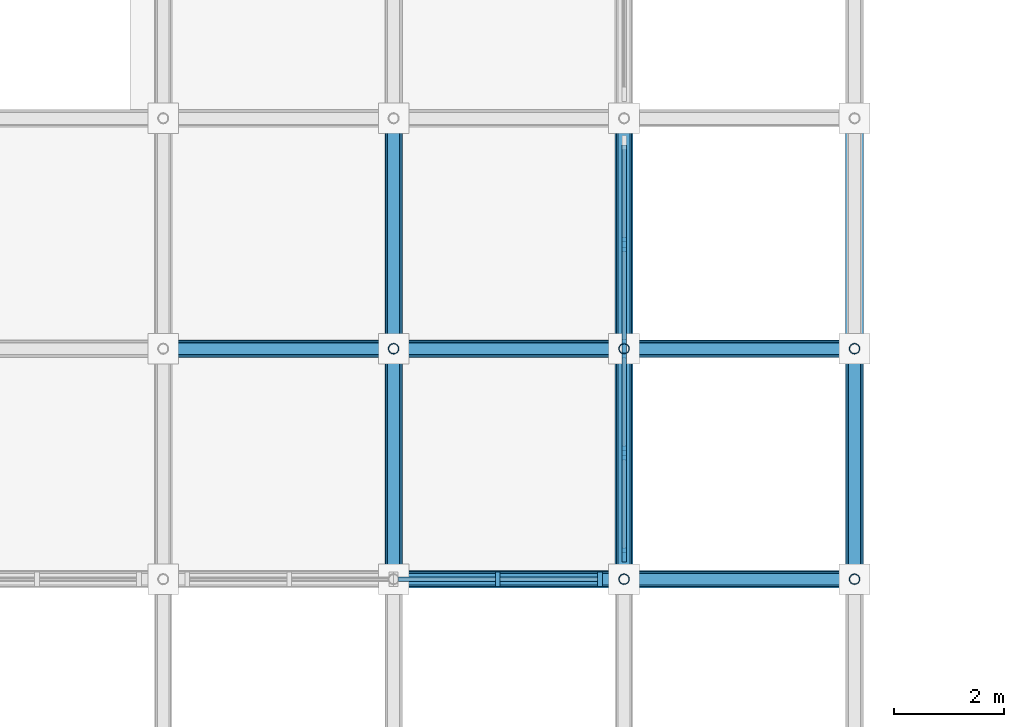
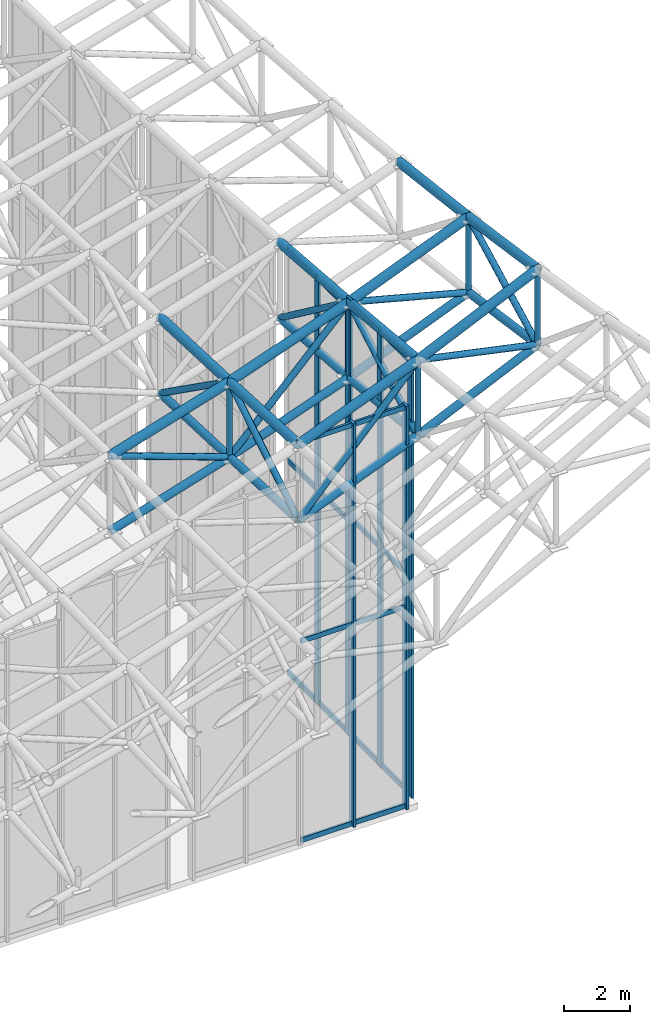
# One storey, part 39 of 93: 61 members, 3 elements without a shape of their own.
"""IFC4 building model written with IfcOpenShell, lengths in metres."""

import ifcopenshell
import ifcopenshell.guid

model = None  # the IFC model being written
_history = None  # IfcOwnerHistory: only IFC2X3 demands one
_inside = {}  # id of a spatial element -> (the spatial element, [elements in it])
_under = {}  # id of a project, library or spatial element -> (it, [spatial elements below it])
_declared = {}  # id of a project -> (the project, [libraries it declares])
_typed = {}  # id of a type object -> (the type object, [elements of that type])
_made_of = {}  # id of a material, layer set ... -> (it, [elements and type objects made of it])


def new_model(schema):
    """Start an empty IFC model of exactly this schema.

    Asked for "IFC4X3", IfcOpenShell would pick the latest addendum, in which some entities
    have other attributes; the version numbers below select the first issue.
    IFC2X3 requires an IfcOwnerHistory on every rooted entity: one is made here for all.
    """
    global model, _history
    if schema == "IFC4X3":
        model = ifcopenshell.file(schema_version=(4, 3, 0, 0))
    else:
        model = ifcopenshell.file(schema=schema)
    _inside.clear()
    _under.clear()
    _declared.clear()
    _typed.clear()
    _made_of.clear()
    _history = None
    if model.schema == "IFC2X3":
        org = make("IfcOrganization", Name="unknown")
        user = make(
            "IfcPersonAndOrganization",
            ThePerson=make("IfcPerson", FamilyName="unknown"),
            TheOrganization=org,
        )
        app = make(
            "IfcApplication",
            ApplicationDeveloper=org,
            Version="unknown",
            ApplicationFullName="unknown",
            ApplicationIdentifier="unknown",
        )
        _history = make(
            "IfcOwnerHistory",
            OwningUser=user,
            OwningApplication=app,
            ChangeAction="ADDED",
            CreationDate=0,
        )
    return model


def make(cls, **values):
    """One entity of the class cls with the attributes given. An attribute that is None is left unset."""
    return model.create_entity(
        cls, **{name: value for name, value in values.items() if value is not None}
    )


def rooted(cls, **values):
    """An entity with a GlobalId (a new one), such as an element, a storey or a relation."""
    return make(cls, GlobalId=ifcopenshell.guid.new(), OwnerHistory=_history, **values)


def si_unit(unit_type, name, prefix=None):
    """IfcSIUnit, for example si_unit("LENGTHUNIT", "METRE", prefix="MILLI")."""
    return make("IfcSIUnit", UnitType=unit_type, Prefix=prefix, Name=name)


def assignment(units):
    """IfcUnitAssignment: the units of a project."""
    return None if units is None else make("IfcUnitAssignment", Units=units)


def point(xyz):
    """IfcCartesianPoint."""
    return None if xyz is None else make("IfcCartesianPoint", Coordinates=xyz)


def direction(xyz):
    """IfcDirection."""
    return None if xyz is None else make("IfcDirection", DirectionRatios=xyz)


def frame(location, z_axis=None, x_axis=None):
    """IfcAxis2Placement3D, a coordinate frame: its origin and axes. An axis left out is left unset."""
    return make(
        "IfcAxis2Placement3D",
        Location=point(location),
        Axis=direction(z_axis),
        RefDirection=direction(x_axis),
    )


def frame_2d(location, x_axis=None):
    """IfcAxis2Placement2D, a coordinate frame in the plane: its origin and x axis."""
    return make(
        "IfcAxis2Placement2D", Location=point(location), RefDirection=direction(x_axis)
    )


def origin():
    """The frame at (0, 0, 0) with its axes left unset."""
    return frame((0.0, 0.0, 0.0))


def origin_2d():
    """The frame at (0, 0) in the plane with its x axis left unset."""
    return frame_2d((0.0, 0.0))


def place(relative_to, where):
    """IfcLocalPlacement: puts the frame where relative to a parent placement (None: the world)."""
    return make(
        "IfcLocalPlacement", PlacementRelTo=relative_to, RelativePlacement=where
    )


def context(
    kind, dimensions, precision=None, world=None, true_north=None, identifier=None
):
    """IfcGeometricRepresentationContext, for example the 3D "Model" context."""
    return make(
        "IfcGeometricRepresentationContext",
        ContextIdentifier=identifier,
        ContextType=kind,
        CoordinateSpaceDimension=dimensions,
        Precision=precision,
        WorldCoordinateSystem=world,
        TrueNorth=true_north,
    )


def subcontext(parent, identifier, kind, view, scale=None):
    """IfcGeometricRepresentationSubContext, for example "Body" below "Model"."""
    return make(
        "IfcGeometricRepresentationSubContext",
        ContextIdentifier=identifier,
        ContextType=kind,
        ParentContext=parent,
        TargetScale=scale,
        TargetView=view,
    )


def project(units=None, contexts=None):
    """IfcProject with its units and contexts."""
    return rooted(
        "IfcProject",
        Name="project",
        RepresentationContexts=contexts,
        UnitsInContext=assignment(units),
    )


def spatial(cls, under=None, at=None, **own):
    """A site, building, storey or space (cls), placed at a placement, below another one or the project."""
    s = rooted(cls, ObjectPlacement=at, **own)
    if under is not None:
        _under.setdefault(under.id(), (under, []))[1].append(s)
    return s


def profile(cls, at=None, kind="AREA", **sizes):
    """A parametric profile (cls). Its sizes go by their IFC names, for example OverallWidth=200.0."""
    return make(cls, ProfileType=kind, Position=at, **sizes)


def rectangle(**sizes):
    """IfcRectangleProfileDef."""
    return profile("IfcRectangleProfileDef", **sizes)


def hollow_circle(**sizes):
    """IfcCircleHollowProfileDef."""
    return profile("IfcCircleHollowProfileDef", **sizes)


def extrude(swept, where, along, depth):
    """IfcExtrudedAreaSolid: the profile swept, set in the frame where, extruded along a direction by depth."""
    return make(
        "IfcExtrudedAreaSolid",
        SweptArea=swept,
        Position=where,
        ExtrudedDirection=direction(along),
        Depth=depth,
    )


def shape(context_of_items, identifier, shape_type, items):
    """IfcShapeRepresentation: the items that make up one representation, for example the "Body"."""
    return make(
        "IfcShapeRepresentation",
        ContextOfItems=context_of_items,
        RepresentationIdentifier=identifier,
        RepresentationType=shape_type,
        Items=items,
    )


def material(Name=None, Category=None):
    """IfcMaterial."""
    return make("IfcMaterial", Name=Name, Category=Category)


def material_profile(
    of_material, cross_section, Name=None, Category=None, Priority=None
):
    """IfcMaterialProfile: a cross section and its material."""
    return make(
        "IfcMaterialProfile",
        Name=Name,
        Material=of_material,
        Profile=cross_section,
        Priority=Priority,
        Category=Category,
    )


def profile_set(profiles, Name=None, composite=None):
    """IfcMaterialProfileSet."""
    return make(
        "IfcMaterialProfileSet",
        Name=Name,
        MaterialProfiles=profiles,
        CompositeProfile=composite,
    )


def made_of(thing, what):
    """Note that an element or type object is made of a material, layer set ...; save() writes the relation."""
    if what is not None:
        _made_of.setdefault(what.id(), (what, []))[1].append(thing)
    return thing


def type_object(cls, material=None, **own):
    """A type object (cls), such as IfcWallType, which elements share."""
    return made_of(rooted(cls, **own), material)


def element(
    cls,
    number,
    at=None,
    inside=None,
    cuts=None,
    type_object=None,
    material=None,
    context=None,
    identifier="Body",
    shape_type=None,
    held_by="IfcProductDefinitionShape",
    body=None,
    shapes=None,
    **own,
):
    """One element of the class cls, such as IfcWall. Its Tag is "e" and its number.

    at: its placement. inside: the storey or other place that contains it. cuts: it is an
    opening in that element (IfcRelVoidsElement). A single representation is given by context,
    identifier, shape_type and body (its items); several are given by shapes. held_by: the class
    of the entity that holds the representations. save() writes the other relations.
    """
    e = rooted(cls, Tag="e%d" % number, ObjectPlacement=at, **own)
    if body is not None:
        shapes = [shape(context, identifier, shape_type, body)]
    if shapes is not None:
        e.Representation = make(held_by, Representations=shapes)
    if inside is not None:
        _inside.setdefault(inside.id(), (inside, []))[1].append(e)
    if cuts is not None:
        rooted(
            "IfcRelVoidsElement", RelatingBuildingElement=cuts, RelatedOpeningElement=e
        )
    if type_object is not None:
        _typed.setdefault(type_object.id(), (type_object, []))[1].append(e)
    return made_of(e, material)


def aggregate(whole, parts):
    """IfcRelAggregates: a whole, such as a stair, and the parts it consists of."""
    return rooted("IfcRelAggregates", RelatingObject=whole, RelatedObjects=parts)


def save(model, path):
    """Write the relations noted so far, then the file.

    IfcRelAggregates (storeys below a building ...), IfcRelContainedInSpatialStructure (elements
    in a storey), IfcRelDefinesByType, IfcRelAssociatesMaterial and IfcRelDeclares: one each for
    every whole, place, type object, material and project.
    """
    for whole, parts in _under.values():
        aggregate(whole, parts)
    for where, things in _inside.values():
        rooted(
            "IfcRelContainedInSpatialStructure",
            RelatedElements=things,
            RelatingStructure=where,
        )
    for kind, things in _typed.values():
        rooted("IfcRelDefinesByType", RelatedObjects=things, RelatingType=kind)
    for what, things in _made_of.values():
        rooted("IfcRelAssociatesMaterial", RelatedObjects=things, RelatingMaterial=what)
    for by, libraries in _declared.values():
        rooted("IfcRelDeclares", RelatingContext=by, RelatedDefinitions=libraries)
    model.write(path)


model = new_model("IFC4")

# Units and contexts
model_context = context("Model", 3, precision=1e-05, world=origin(), true_north=direction((0.0, 1.0)))
body_context = subcontext(model_context, "Body", "Model", "MODEL_VIEW")
ifc_project = project(units=[si_unit("LENGTHUNIT", "METRE"), si_unit("AREAUNIT", "SQUARE_METRE"), si_unit("VOLUMEUNIT", "CUBIC_METRE"), si_unit("PLANEANGLEUNIT", "RADIAN"), si_unit("MASSUNIT", "GRAM", prefix="KILO")], contexts=[model_context])

# Site, building, storey
site_placement = place(None, origin())
site = spatial("IfcSite", under=ifc_project, at=site_placement, CompositionType="ELEMENT")
building_placement = place(site_placement, origin())
building = spatial("IfcBuilding", under=site, at=building_placement, Name="Cumbredor Promenade Congress Hotel", CompositionType="ELEMENT")
storey_placement = place(building_placement, frame((0.0, 0.0, 21.840087890625)))
storey = spatial("IfcBuildingStorey", under=building, at=storey_placement, Name="L06", CompositionType="ELEMENT", Elevation=21.840087890625)

# Curtain wall, members
ifc_material_1 = material(Name="Thermally broken anodized aluminium and low-E glass", Category="aluminium")
curtain_wall_type = type_object("IfcCurtainWallType", Name="Stepped Pavilion Clerestory Curtain Wall CW-06", PredefinedType="NOTDEFINED", material=ifc_material_1)
curtain_wall_1_placement = place(storey_placement, origin())
curtain_wall_1 = element("IfcCurtainWall", 1, at=curtain_wall_1_placement, inside=storey, type_object=curtain_wall_type, Name="Plenary Congress Hall S Glazed Clerestory 14", PredefinedType="NOTDEFINED")
ifc_material_2 = material(Name="Thermally broken anodized aluminium", Category="aluminium")
ifc_material_profile_1 = material_profile(ifc_material_2, rectangle(XDim=0.0849609375, YDim=0.260009765625, at=origin_2d()), Name="ALU MULLION CLERESTORY 85x260")
ifc_profile_set_1 = profile_set([ifc_material_profile_1], Name="Thermally broken anodized aluminium")
member_type_1 = type_object("IfcMemberType", Name="Curtain Wall Mullion ML-04", PredefinedType="MULLION", material=ifc_profile_set_1)
member_1_placement = place(storey_placement, frame((64.89990234375, 8.39990234375, -0.01806640625), z_axis=(0.0, 0.0, 1.0), x_axis=(1.0, 0.0, 0.0)))
member_1 = element("IfcMember", 2, at=member_1_placement, type_object=member_type_1, Name="Plenary Congress Hall S Glazed Clerestory 14 Mullion 2", PredefinedType="MULLION", context=body_context, shape_type="SweptSolid", body=[
    extrude(rectangle(XDim=0.0849609375, YDim=0.260009765625, at=origin_2d()), origin(), (0.0, 0.0, 1.0), 15.0029296875),
])
member_2_placement = place(storey_placement, frame((66.760009765625, 8.39990234375, -0.01806640625), z_axis=(0.0, 0.0, 1.0), x_axis=(1.0, 0.0, 0.0)))
member_2 = element("IfcMember", 3, at=member_2_placement, type_object=member_type_1, Name="Plenary Congress Hall S Glazed Clerestory 14 Mullion 3", PredefinedType="MULLION", context=body_context, shape_type="SweptSolid", body=[
    extrude(rectangle(XDim=0.0849609375, YDim=0.260009765625, at=origin_2d()), origin(), (0.0, 0.0, 1.0), 15.0029296875),
])

curtain_wall_2_placement = place(storey_placement, origin())
curtain_wall_2 = element("IfcCurtainWall", 4, at=curtain_wall_2_placement, inside=storey, type_object=curtain_wall_type, Name="Plenary Congress Hall E Glazed Clerestory 1", PredefinedType="NOTDEFINED")
member_3_placement = place(storey_placement, frame((67.199951171875, 8.840087890625, -0.01806640625), z_axis=(0.0, 0.0, 1.0), x_axis=(1.0, 0.0, 0.0)))
member_3 = element("IfcMember", 5, at=member_3_placement, type_object=member_type_1, Name="Plenary Congress Hall E Glazed Clerestory 1 Mullion 1", PredefinedType="MULLION", context=body_context, shape_type="SweptSolid", body=[
    extrude(rectangle(XDim=0.0849609375, YDim=0.260009765625, at=origin_2d()), origin(), (0.0, 0.0, 1.0), 16.279296875),
])
member_4_placement = place(storey_placement, frame((67.199951171875, 10.699951171875, -0.01806640625), z_axis=(0.0, 0.0, 1.0), x_axis=(1.0, 0.0, 0.0)))
member_4 = element("IfcMember", 6, at=member_4_placement, type_object=member_type_1, Name="Plenary Congress Hall E Glazed Clerestory 1 Mullion 2", PredefinedType="MULLION", context=body_context, shape_type="SweptSolid", body=[
    extrude(rectangle(XDim=0.0849609375, YDim=0.260009765625, at=origin_2d()), origin(), (0.0, 0.0, 1.0), 16.279296875),
])
member_5_placement = place(storey_placement, frame((67.199951171875, 12.56005859375, -0.01806640625), z_axis=(0.0, 0.0, 1.0), x_axis=(1.0, 0.0, 0.0)))
member_5 = element("IfcMember", 7, at=member_5_placement, type_object=member_type_1, Name="Plenary Congress Hall E Glazed Clerestory 1 Mullion 3", PredefinedType="MULLION", context=body_context, shape_type="SweptSolid", body=[
    extrude(rectangle(XDim=0.0849609375, YDim=0.260009765625, at=origin_2d()), origin(), (0.0, 0.0, 1.0), 16.279296875),
])

curtain_wall_3_placement = place(storey_placement, origin())
curtain_wall_3 = element("IfcCurtainWall", 8, at=curtain_wall_3_placement, inside=storey, type_object=curtain_wall_type, Name="Plenary Congress Hall E Glazed Clerestory 2", PredefinedType="NOTDEFINED")
member_6_placement = place(storey_placement, frame((67.199951171875, 12.639892578125, -0.01806640625), z_axis=(0.0, 0.0, 1.0), x_axis=(1.0, 0.0, 0.0)))
member_6 = element("IfcMember", 9, at=member_6_placement, type_object=member_type_1, Name="Plenary Congress Hall E Glazed Clerestory 2 Mullion 1", PredefinedType="MULLION", context=body_context, shape_type="SweptSolid", body=[
    extrude(rectangle(XDim=0.0849609375, YDim=0.260009765625, at=origin_2d()), origin(), (0.0, 0.0, 1.0), 15.94970703125),
])
member_7_placement = place(storey_placement, frame((67.199951171875, 14.5, -0.01806640625), z_axis=(0.0, 0.0, 1.0), x_axis=(1.0, 0.0, 0.0)))
member_7 = element("IfcMember", 10, at=member_7_placement, type_object=member_type_1, Name="Plenary Congress Hall E Glazed Clerestory 2 Mullion 2", PredefinedType="MULLION", context=body_context, shape_type="SweptSolid", body=[
    extrude(rectangle(XDim=0.0849609375, YDim=0.260009765625, at=origin_2d()), origin(), (0.0, 0.0, 1.0), 15.94970703125),
])

# Member
ifc_material_profile_2 = material_profile(ifc_material_2, rectangle(XDim=0.080078125, YDim=0.179931640625, at=origin_2d()), Name="ALU TRANSOM 80x180")
ifc_profile_set_2 = profile_set([ifc_material_profile_2], Name="Thermally broken anodized aluminium")
member_type_2 = type_object("IfcMemberType", Name="Curtain Wall Transom TR-03", PredefinedType="USERDEFINED", material=ifc_profile_set_2)
member_8_placement = place(storey_placement, frame((63.08251953125, 8.39990234375, 0.079833984375), z_axis=(1.0, 0.0, 0.0), x_axis=(0.0, 1.0, 0.0)))
member_8 = element("IfcMember", 11, at=member_8_placement, type_object=member_type_2, Name="Plenary Congress Hall S Glazed Clerestory 14 Transom 1.1", ObjectType="TRANSOM", PredefinedType="USERDEFINED", context=body_context, shape_type="SweptSolid", body=[
    extrude(rectangle(XDim=0.080078125, YDim=0.179931640625, at=origin_2d()), origin(), (0.0, 0.0, 1.0), 1.77490234375),
])

member_9_placement = place(storey_placement, frame((63.08251953125, 8.39990234375, 7.47998046875), z_axis=(1.0, 0.0, 0.0), x_axis=(0.0, 1.0, 0.0)))
member_9 = element("IfcMember", 12, at=member_9_placement, type_object=member_type_2, Name="Plenary Congress Hall S Glazed Clerestory 14 Transom 1.2", ObjectType="TRANSOM", PredefinedType="USERDEFINED", context=body_context, shape_type="SweptSolid", body=[
    extrude(rectangle(XDim=0.080078125, YDim=0.179931640625, at=origin_2d()), origin(), (0.0, 0.0, 1.0), 1.77490234375),
])

member_10_placement = place(storey_placement, frame((63.08251953125, 8.39990234375, 14.889892578125), z_axis=(1.0, 0.0, 0.0), x_axis=(0.0, 1.0, 0.0)))
member_10 = element("IfcMember", 13, at=member_10_placement, type_object=member_type_2, Name="Plenary Congress Hall S Glazed Clerestory 14 Transom 1.3", ObjectType="TRANSOM", PredefinedType="USERDEFINED", context=body_context, shape_type="SweptSolid", body=[
    extrude(rectangle(XDim=0.080078125, YDim=0.179931640625, at=origin_2d()), origin(), (0.0, 0.0, 1.0), 1.77490234375),
])

member_11_placement = place(storey_placement, frame((64.9423828125, 8.39990234375, 0.079833984375), z_axis=(1.0, 0.0, 0.0), x_axis=(0.0, 1.0, 0.0)))
member_11 = element("IfcMember", 14, at=member_11_placement, type_object=member_type_2, Name="Plenary Congress Hall S Glazed Clerestory 14 Transom 2.1", ObjectType="TRANSOM", PredefinedType="USERDEFINED", context=body_context, shape_type="SweptSolid", body=[
    extrude(rectangle(XDim=0.080078125, YDim=0.179931640625, at=origin_2d()), origin(), (0.0, 0.0, 1.0), 1.775146484375),
])

member_12_placement = place(storey_placement, frame((64.9423828125, 8.39990234375, 7.47998046875), z_axis=(1.0, 0.0, 0.0), x_axis=(0.0, 1.0, 0.0)))
member_12 = element("IfcMember", 15, at=member_12_placement, type_object=member_type_2, Name="Plenary Congress Hall S Glazed Clerestory 14 Transom 2.2", ObjectType="TRANSOM", PredefinedType="USERDEFINED", context=body_context, shape_type="SweptSolid", body=[
    extrude(rectangle(XDim=0.080078125, YDim=0.179931640625, at=origin_2d()), origin(), (0.0, 0.0, 1.0), 1.775146484375),
])

member_13_placement = place(storey_placement, frame((64.9423828125, 8.39990234375, 14.889892578125), z_axis=(1.0, 0.0, 0.0), x_axis=(0.0, 1.0, 0.0)))
member_13 = element("IfcMember", 16, at=member_13_placement, type_object=member_type_2, Name="Plenary Congress Hall S Glazed Clerestory 14 Transom 2.3", ObjectType="TRANSOM", PredefinedType="USERDEFINED", context=body_context, shape_type="SweptSolid", body=[
    extrude(rectangle(XDim=0.080078125, YDim=0.179931640625, at=origin_2d()), origin(), (0.0, 0.0, 1.0), 1.775146484375),
])

aggregate(curtain_wall_1, [member_1, member_2, member_8, member_9, member_10, member_11, member_12, member_13])

member_14_placement = place(storey_placement, frame((67.199951171875, 8.882568359375, 0.079833984375), z_axis=(0.0, 1.0, 0.0), x_axis=(-1.0, 0.0, 0.0)))
member_14 = element("IfcMember", 17, at=member_14_placement, type_object=member_type_2, Name="Plenary Congress Hall E Glazed Clerestory 1 Transom 1.1", ObjectType="TRANSOM", PredefinedType="USERDEFINED", context=body_context, shape_type="SweptSolid", body=[
    extrude(rectangle(XDim=0.080078125, YDim=0.179931640625, at=origin_2d()), origin(), (0.0, 0.0, 1.0), 1.77490234375),
])

member_15_placement = place(storey_placement, frame((67.199951171875, 8.882568359375, 8.119873046875), z_axis=(0.0, 1.0, 0.0), x_axis=(-1.0, 0.0, 0.0)))
member_15 = element("IfcMember", 18, at=member_15_placement, type_object=member_type_2, Name="Plenary Congress Hall E Glazed Clerestory 1 Transom 1.2", ObjectType="TRANSOM", PredefinedType="USERDEFINED", context=body_context, shape_type="SweptSolid", body=[
    extrude(rectangle(XDim=0.080078125, YDim=0.179931640625, at=origin_2d()), origin(), (0.0, 0.0, 1.0), 1.77490234375),
])

member_16_placement = place(storey_placement, frame((67.199951171875, 8.882568359375, 16.159912109375), z_axis=(0.0, 1.0, 0.0), x_axis=(-1.0, 0.0, 0.0)))
member_16 = element("IfcMember", 19, at=member_16_placement, type_object=member_type_2, Name="Plenary Congress Hall E Glazed Clerestory 1 Transom 1.3", ObjectType="TRANSOM", PredefinedType="USERDEFINED", context=body_context, shape_type="SweptSolid", body=[
    extrude(rectangle(XDim=0.080078125, YDim=0.179931640625, at=origin_2d()), origin(), (0.0, 0.0, 1.0), 1.77490234375),
])

member_17_placement = place(storey_placement, frame((67.199951171875, 10.742431640625, 0.079833984375), z_axis=(0.0, 1.0, 0.0), x_axis=(-1.0, 0.0, 0.0)))
member_17 = element("IfcMember", 20, at=member_17_placement, type_object=member_type_2, Name="Plenary Congress Hall E Glazed Clerestory 1 Transom 2.1", ObjectType="TRANSOM", PredefinedType="USERDEFINED", context=body_context, shape_type="SweptSolid", body=[
    extrude(rectangle(XDim=0.080078125, YDim=0.179931640625, at=origin_2d()), origin(), (0.0, 0.0, 1.0), 1.775146484375),
])

member_18_placement = place(storey_placement, frame((67.199951171875, 10.742431640625, 8.119873046875), z_axis=(0.0, 1.0, 0.0), x_axis=(-1.0, 0.0, 0.0)))
member_18 = element("IfcMember", 21, at=member_18_placement, type_object=member_type_2, Name="Plenary Congress Hall E Glazed Clerestory 1 Transom 2.2", ObjectType="TRANSOM", PredefinedType="USERDEFINED", context=body_context, shape_type="SweptSolid", body=[
    extrude(rectangle(XDim=0.080078125, YDim=0.179931640625, at=origin_2d()), origin(), (0.0, 0.0, 1.0), 1.775146484375),
])

member_19_placement = place(storey_placement, frame((67.199951171875, 10.742431640625, 16.159912109375), z_axis=(0.0, 1.0, 0.0), x_axis=(-1.0, 0.0, 0.0)))
member_19 = element("IfcMember", 22, at=member_19_placement, type_object=member_type_2, Name="Plenary Congress Hall E Glazed Clerestory 1 Transom 2.3", ObjectType="TRANSOM", PredefinedType="USERDEFINED", context=body_context, shape_type="SweptSolid", body=[
    extrude(rectangle(XDim=0.080078125, YDim=0.179931640625, at=origin_2d()), origin(), (0.0, 0.0, 1.0), 1.775146484375),
])

aggregate(curtain_wall_2, [member_3, member_4, member_5, member_14, member_15, member_16, member_17, member_18, member_19])

member_20_placement = place(storey_placement, frame((67.199951171875, 12.6826171875, 0.079833984375), z_axis=(0.0, 1.0, 0.0), x_axis=(-1.0, 0.0, 0.0)))
member_20 = element("IfcMember", 23, at=member_20_placement, type_object=member_type_2, Name="Plenary Congress Hall E Glazed Clerestory 2 Transom 1.1", ObjectType="TRANSOM", PredefinedType="USERDEFINED", context=body_context, shape_type="SweptSolid", body=[
    extrude(rectangle(XDim=0.080078125, YDim=0.179931640625, at=origin_2d()), origin(), (0.0, 0.0, 1.0), 1.77490234375),
])

member_21_placement = place(storey_placement, frame((67.199951171875, 12.6826171875, 7.9599609375), z_axis=(0.0, 1.0, 0.0), x_axis=(-1.0, 0.0, 0.0)))
member_21 = element("IfcMember", 24, at=member_21_placement, type_object=member_type_2, Name="Plenary Congress Hall E Glazed Clerestory 2 Transom 1.2", ObjectType="TRANSOM", PredefinedType="USERDEFINED", context=body_context, shape_type="SweptSolid", body=[
    extrude(rectangle(XDim=0.080078125, YDim=0.179931640625, at=origin_2d()), origin(), (0.0, 0.0, 1.0), 1.77490234375),
])

member_22_placement = place(storey_placement, frame((67.199951171875, 12.6826171875, 15.829833984375), z_axis=(0.0, 1.0, 0.0), x_axis=(-1.0, 0.0, 0.0)))
member_22 = element("IfcMember", 25, at=member_22_placement, type_object=member_type_2, Name="Plenary Congress Hall E Glazed Clerestory 2 Transom 1.3", ObjectType="TRANSOM", PredefinedType="USERDEFINED", context=body_context, shape_type="SweptSolid", body=[
    extrude(rectangle(XDim=0.080078125, YDim=0.179931640625, at=origin_2d()), origin(), (0.0, 0.0, 1.0), 1.77490234375),
])

member_23_placement = place(storey_placement, frame((67.199951171875, 14.54248046875, 0.079833984375), z_axis=(0.0, 1.0, 0.0), x_axis=(-1.0, 0.0, 0.0)))
member_23 = element("IfcMember", 26, at=member_23_placement, type_object=member_type_2, Name="Plenary Congress Hall E Glazed Clerestory 2 Transom 2.1", ObjectType="TRANSOM", PredefinedType="USERDEFINED", context=body_context, shape_type="SweptSolid", body=[
    extrude(rectangle(XDim=0.080078125, YDim=0.179931640625, at=origin_2d()), origin(), (0.0, 0.0, 1.0), 1.77490234375),
])

member_24_placement = place(storey_placement, frame((67.199951171875, 14.54248046875, 7.9599609375), z_axis=(0.0, 1.0, 0.0), x_axis=(-1.0, 0.0, 0.0)))
member_24 = element("IfcMember", 27, at=member_24_placement, type_object=member_type_2, Name="Plenary Congress Hall E Glazed Clerestory 2 Transom 2.2", ObjectType="TRANSOM", PredefinedType="USERDEFINED", context=body_context, shape_type="SweptSolid", body=[
    extrude(rectangle(XDim=0.080078125, YDim=0.179931640625, at=origin_2d()), origin(), (0.0, 0.0, 1.0), 1.77490234375),
])

member_25_placement = place(storey_placement, frame((67.199951171875, 14.54248046875, 15.829833984375), z_axis=(0.0, 1.0, 0.0), x_axis=(-1.0, 0.0, 0.0)))
member_25 = element("IfcMember", 28, at=member_25_placement, type_object=member_type_2, Name="Plenary Congress Hall E Glazed Clerestory 2 Transom 2.3", ObjectType="TRANSOM", PredefinedType="USERDEFINED", context=body_context, shape_type="SweptSolid", body=[
    extrude(rectangle(XDim=0.080078125, YDim=0.179931640625, at=origin_2d()), origin(), (0.0, 0.0, 1.0), 1.77490234375),
])

aggregate(curtain_wall_3, [member_6, member_7, member_20, member_21, member_22, member_23, member_24, member_25])

# Members
ifc_material_3 = material(Name="Steel ASTM A500 Grade C", Category="steel")
ifc_material_profile_3 = material_profile(ifc_material_3, hollow_circle(Radius=0.136474609375, WallThickness=0.01611328125, at=origin_2d()), Name="CHS 273.0x16")
ifc_profile_set_3 = profile_set([ifc_material_profile_3], Name="Steel ASTM A500 Grade C")
member_type_3 = type_object("IfcMemberType", Name="Plenary Roof Space Frame Bottom Chord", PredefinedType="CHORD", material=ifc_profile_set_3)
member_26_placement = place(storey_placement, frame((63.0, 8.39990234375, 11.996826171875), z_axis=(0.929112256064, 0.0, 0.369797803713), x_axis=(0.0, 1.0, 0.0)))
element("IfcMember", 29, at=member_26_placement, inside=storey, type_object=member_type_3, Name="Plenary Congress Hall X Bottom Chord 17.3", PredefinedType="CHORD", context=body_context, shape_type="SweptSolid", body=[
    extrude(hollow_circle(Radius=0.136474609375, WallThickness=0.01611328125, at=origin_2d()), origin(), (0.0, 0.0, 1.0), 4.5205078125),
])
member_27_placement = place(storey_placement, frame((67.199951171875, 8.39990234375, 13.66845703125), z_axis=(0.910496936225, 0.0, 0.413515814842), x_axis=(0.0, 1.0, 0.0)))
element("IfcMember", 30, at=member_27_placement, inside=storey, type_object=member_type_3, Name="Plenary Congress Hall X Bottom Chord 18.3", PredefinedType="CHORD", context=body_context, shape_type="SweptSolid", body=[
    extrude(hollow_circle(Radius=0.136474609375, WallThickness=0.01611328125, at=origin_2d()), origin(), (0.0, 0.0, 1.0), 4.61279296875),
])
member_28_placement = place(storey_placement, frame((58.800048828125, 12.60009765625, 10.5), z_axis=(0.95607892243, 0.0, 0.293109355165), x_axis=(0.0, 1.0, 0.0)))
element("IfcMember", 31, at=member_28_placement, inside=storey, type_object=member_type_3, Name="Plenary Congress Hall X Bottom Chord 16.4", PredefinedType="CHORD", context=body_context, shape_type="SweptSolid", body=[
    extrude(hollow_circle(Radius=0.136474609375, WallThickness=0.01611328125, at=origin_2d()), origin(), (0.0, 0.0, 1.0), 4.392822265625),
])
member_29_placement = place(storey_placement, frame((63.0, 12.60009765625, 11.78759765625), z_axis=(0.942760446136, 0.0, 0.333470750145), x_axis=(0.0, 1.0, 0.0)))
element("IfcMember", 32, at=member_29_placement, inside=storey, type_object=member_type_3, Name="Plenary Congress Hall X Bottom Chord 17.4", PredefinedType="CHORD", context=body_context, shape_type="SweptSolid", body=[
    extrude(hollow_circle(Radius=0.136474609375, WallThickness=0.01611328125, at=origin_2d()), origin(), (0.0, 0.0, 1.0), 4.454833984375),
])
member_30_placement = place(storey_placement, frame((67.199951171875, 12.60009765625, 13.273193359375), z_axis=(0.927417042186, 0.0, 0.374028915811), x_axis=(0.0, 1.0, 0.0)))
element("IfcMember", 33, at=member_30_placement, inside=storey, type_object=member_type_3, Name="Plenary Congress Hall X Bottom Chord 18.4", PredefinedType="CHORD", context=body_context, shape_type="SweptSolid", body=[
    extrude(hollow_circle(Radius=0.136474609375, WallThickness=0.01611328125, at=origin_2d()), origin(), (0.0, 0.0, 1.0), 4.528564453125),
])
member_31_placement = place(storey_placement, frame((63.0, 8.39990234375, 11.996826171875), z_axis=(0.0, 0.998761587168, -0.049752306452), x_axis=(-1.0, 0.0, 0.0)))
element("IfcMember", 34, at=member_31_placement, inside=storey, type_object=member_type_3, Name="Plenary Congress Hall Y Bottom Chord 17.3", PredefinedType="CHORD", context=body_context, shape_type="SweptSolid", body=[
    extrude(hollow_circle(Radius=0.136474609375, WallThickness=0.01611328125, at=origin_2d()), origin(), (0.0, 0.0, 1.0), 4.205322265625),
])
member_32_placement = place(storey_placement, frame((63.0, 12.60009765625, 11.78759765625), z_axis=(0.0, 0.999139804036, -0.041468686862), x_axis=(-1.0, 0.0, 0.0)))
element("IfcMember", 35, at=member_32_placement, inside=storey, type_object=member_type_3, Name="Plenary Congress Hall Y Bottom Chord 17.4", PredefinedType="CHORD", context=body_context, shape_type="SweptSolid", body=[
    extrude(hollow_circle(Radius=0.136474609375, WallThickness=0.01611328125, at=origin_2d()), origin(), (0.0, 0.0, 1.0), 4.20361328125),
])
member_33_placement = place(storey_placement, frame((67.199951171875, 8.39990234375, 13.66845703125), z_axis=(0.0, 0.995601223346, -0.093692070483), x_axis=(-1.0, 0.0, 0.0)))
element("IfcMember", 36, at=member_33_placement, inside=storey, type_object=member_type_3, Name="Plenary Congress Hall Y Bottom Chord 18.3", PredefinedType="CHORD", context=body_context, shape_type="SweptSolid", body=[
    extrude(hollow_circle(Radius=0.136474609375, WallThickness=0.01611328125, at=origin_2d()), origin(), (0.0, 0.0, 1.0), 4.21875),
])
member_34_placement = place(storey_placement, frame((67.199951171875, 12.60009765625, 13.273193359375), z_axis=(0.0, 0.996935010979, -0.078234160601), x_axis=(-1.0, 0.0, 0.0)))
element("IfcMember", 37, at=member_34_placement, inside=storey, type_object=member_type_3, Name="Plenary Congress Hall Y Bottom Chord 18.4", PredefinedType="CHORD", context=body_context, shape_type="SweptSolid", body=[
    extrude(hollow_circle(Radius=0.136474609375, WallThickness=0.01611328125, at=origin_2d()), origin(), (0.0, 0.0, 1.0), 4.212890625),
])
member_35_placement = place(storey_placement, frame((71.39990234375, 8.39990234375, 15.575927734375), z_axis=(0.0, 0.989655154682, -0.143466633096), x_axis=(-1.0, 0.0, 0.0)))
element("IfcMember", 38, at=member_35_placement, inside=storey, type_object=member_type_3, Name="Plenary Congress Hall Y Bottom Chord 19.3", PredefinedType="CHORD", context=body_context, shape_type="SweptSolid", body=[
    extrude(hollow_circle(Radius=0.136474609375, WallThickness=0.01611328125, at=origin_2d()), origin(), (0.0, 0.0, 1.0), 4.244140625),
])
ifc_material_profile_4 = material_profile(ifc_material_3, hollow_circle(Radius=0.161865234375, WallThickness=0.01611328125, at=origin_2d()), Name="CHS 323.9x16")
ifc_profile_set_4 = profile_set([ifc_material_profile_4], Name="Steel ASTM A500 Grade C")
member_type_4 = type_object("IfcMemberType", Name="Plenary Roof Space Frame Top Chord", PredefinedType="CHORD", material=ifc_profile_set_4)
member_36_placement = place(storey_placement, frame((63.0, 8.39990234375, 14.796875), z_axis=(0.929112256064, 0.0, 0.369797803713), x_axis=(0.0, 1.0, 0.0)))
element("IfcMember", 39, at=member_36_placement, inside=storey, type_object=member_type_4, Name="Plenary Congress Hall X Top Chord 17.3", PredefinedType="CHORD", context=body_context, shape_type="SweptSolid", body=[
    extrude(hollow_circle(Radius=0.161865234375, WallThickness=0.01611328125, at=origin_2d()), origin(), (0.0, 0.0, 1.0), 4.5205078125),
])
member_37_placement = place(storey_placement, frame((67.199951171875, 8.39990234375, 16.468505859375), z_axis=(0.910516862741, 0.0, 0.413471936972), x_axis=(0.0, 1.0, 0.0)))
element("IfcMember", 40, at=member_37_placement, inside=storey, type_object=member_type_4, Name="Plenary Congress Hall X Top Chord 18.3", PredefinedType="CHORD", context=body_context, shape_type="SweptSolid", body=[
    extrude(hollow_circle(Radius=0.161865234375, WallThickness=0.01611328125, at=origin_2d()), origin(), (0.0, 0.0, 1.0), 4.61279296875),
])
member_38_placement = place(storey_placement, frame((58.800048828125, 12.60009765625, 13.300048828125), z_axis=(0.95607892243, 0.0, 0.293109355165), x_axis=(0.0, 1.0, 0.0)))
element("IfcMember", 41, at=member_38_placement, inside=storey, type_object=member_type_4, Name="Plenary Congress Hall X Top Chord 16.4", PredefinedType="CHORD", context=body_context, shape_type="SweptSolid", body=[
    extrude(hollow_circle(Radius=0.161865234375, WallThickness=0.01611328125, at=origin_2d()), origin(), (0.0, 0.0, 1.0), 4.392822265625),
])
member_39_placement = place(storey_placement, frame((63.0, 12.60009765625, 14.587646484375), z_axis=(0.942760446136, 0.0, 0.333470750145), x_axis=(0.0, 1.0, 0.0)))
element("IfcMember", 42, at=member_39_placement, inside=storey, type_object=member_type_4, Name="Plenary Congress Hall X Top Chord 17.4", PredefinedType="CHORD", context=body_context, shape_type="SweptSolid", body=[
    extrude(hollow_circle(Radius=0.161865234375, WallThickness=0.01611328125, at=origin_2d()), origin(), (0.0, 0.0, 1.0), 4.454833984375),
])
member_40_placement = place(storey_placement, frame((67.199951171875, 12.60009765625, 16.0732421875), z_axis=(0.927417042186, 0.0, 0.374028915811), x_axis=(0.0, 1.0, 0.0)))
element("IfcMember", 43, at=member_40_placement, inside=storey, type_object=member_type_4, Name="Plenary Congress Hall X Top Chord 18.4", PredefinedType="CHORD", context=body_context, shape_type="SweptSolid", body=[
    extrude(hollow_circle(Radius=0.161865234375, WallThickness=0.01611328125, at=origin_2d()), origin(), (0.0, 0.0, 1.0), 4.528564453125),
])
member_41_placement = place(storey_placement, frame((63.0, 8.39990234375, 14.796875), z_axis=(0.0, 0.998761587168, -0.049752306452), x_axis=(-1.0, 0.0, 0.0)))
element("IfcMember", 44, at=member_41_placement, inside=storey, type_object=member_type_4, Name="Plenary Congress Hall Y Top Chord 17.3", PredefinedType="CHORD", context=body_context, shape_type="SweptSolid", body=[
    extrude(hollow_circle(Radius=0.161865234375, WallThickness=0.01611328125, at=origin_2d()), origin(), (0.0, 0.0, 1.0), 4.205322265625),
])
member_42_placement = place(storey_placement, frame((63.0, 12.60009765625, 14.587646484375), z_axis=(0.0, 0.999139804036, -0.041468686862), x_axis=(-1.0, 0.0, 0.0)))
element("IfcMember", 45, at=member_42_placement, inside=storey, type_object=member_type_4, Name="Plenary Congress Hall Y Top Chord 17.4", PredefinedType="CHORD", context=body_context, shape_type="SweptSolid", body=[
    extrude(hollow_circle(Radius=0.161865234375, WallThickness=0.01611328125, at=origin_2d()), origin(), (0.0, 0.0, 1.0), 4.20361328125),
])
member_43_placement = place(storey_placement, frame((67.199951171875, 8.39990234375, 16.468505859375), z_axis=(0.0, 0.995601223346, -0.093692070483), x_axis=(-1.0, 0.0, 0.0)))
element("IfcMember", 46, at=member_43_placement, inside=storey, type_object=member_type_4, Name="Plenary Congress Hall Y Top Chord 18.3", PredefinedType="CHORD", context=body_context, shape_type="SweptSolid", body=[
    extrude(hollow_circle(Radius=0.161865234375, WallThickness=0.01611328125, at=origin_2d()), origin(), (0.0, 0.0, 1.0), 4.21875),
])
member_44_placement = place(storey_placement, frame((67.199951171875, 12.60009765625, 16.0732421875), z_axis=(0.0, 0.996935010979, -0.078234160601), x_axis=(-1.0, 0.0, 0.0)))
element("IfcMember", 47, at=member_44_placement, inside=storey, type_object=member_type_4, Name="Plenary Congress Hall Y Top Chord 18.4", PredefinedType="CHORD", context=body_context, shape_type="SweptSolid", body=[
    extrude(hollow_circle(Radius=0.161865234375, WallThickness=0.01611328125, at=origin_2d()), origin(), (0.0, 0.0, 1.0), 4.212890625),
])
member_45_placement = place(storey_placement, frame((71.39990234375, 8.39990234375, 18.375732421875), z_axis=(0.0, 0.989663320648, -0.143410291698), x_axis=(-1.0, 0.0, 0.0)))
element("IfcMember", 48, at=member_45_placement, inside=storey, type_object=member_type_4, Name="Plenary Congress Hall Y Top Chord 19.3", PredefinedType="CHORD", context=body_context, shape_type="SweptSolid", body=[
    extrude(hollow_circle(Radius=0.161865234375, WallThickness=0.01611328125, at=origin_2d()), origin(), (0.0, 0.0, 1.0), 4.244140625),
])
member_46_placement = place(storey_placement, frame((71.39990234375, 12.60009765625, 17.76708984375), z_axis=(0.0, 0.992776544314, -0.119978052411), x_axis=(-1.0, 0.0, 0.0)))
element("IfcMember", 49, at=member_46_placement, inside=storey, type_object=member_type_4, Name="Plenary Congress Hall Y Top Chord 19.4", PredefinedType="CHORD", context=body_context, shape_type="SweptSolid", body=[
    extrude(hollow_circle(Radius=0.161865234375, WallThickness=0.01611328125, at=origin_2d()), origin(), (0.0, 0.0, 1.0), 4.23046875),
])
ifc_material_profile_5 = material_profile(ifc_material_3, hollow_circle(Radius=0.109619140625, WallThickness=0.012451171875, at=origin_2d()), Name="CHS 219.1x12.5")
ifc_profile_set_5 = profile_set([ifc_material_profile_5], Name="Steel ASTM A500 Grade C")
member_type_5 = type_object("IfcMemberType", Name="Space Frame Web Diagonal D1", PredefinedType="BRACE", material=ifc_profile_set_5)
member_47_placement = place(storey_placement, frame((63.0, 8.39990234375, 11.996826171875), z_axis=(0.68461331893, 0.0, 0.728906443615), x_axis=(0.0, 1.0, 0.0)))
element("IfcMember", 50, at=member_47_placement, inside=storey, type_object=member_type_5, Name="Plenary Congress Hall X Web Diagonal 17.3", PredefinedType="BRACE", context=body_context, shape_type="SweptSolid", body=[
    extrude(hollow_circle(Radius=0.109619140625, WallThickness=0.012451171875, at=origin_2d()), origin(), (0.0, 0.0, 1.0), 6.134765625),
])
member_48_placement = place(storey_placement, frame((67.199951171875, 8.39990234375, 16.468505859375), z_axis=(0.978154659995, 0.0, -0.207878476832), x_axis=(0.0, 1.0, 0.0)))
element("IfcMember", 51, at=member_48_placement, inside=storey, type_object=member_type_5, Name="Plenary Congress Hall X Web Diagonal 18.3", PredefinedType="BRACE", context=body_context, shape_type="SweptSolid", body=[
    extrude(hollow_circle(Radius=0.109619140625, WallThickness=0.012451171875, at=origin_2d()), origin(), (0.0, 0.0, 1.0), 4.293701171875),
])
member_49_placement = place(storey_placement, frame((58.800048828125, 12.60009765625, 13.300048828125), z_axis=(0.940853941796, 0.0, -0.338812426288), x_axis=(0.0, 1.0, 0.0)))
element("IfcMember", 52, at=member_49_placement, inside=storey, type_object=member_type_5, Name="Plenary Congress Hall X Web Diagonal 16.4", PredefinedType="BRACE", context=body_context, shape_type="SweptSolid", body=[
    extrude(hollow_circle(Radius=0.109619140625, WallThickness=0.012451171875, at=origin_2d()), origin(), (0.0, 0.0, 1.0), 4.4638671875),
])
member_50_placement = place(storey_placement, frame((63.0, 12.60009765625, 11.78759765625), z_axis=(0.699930242693, 0.0, 0.714211212012), x_axis=(0.0, 1.0, 0.0)))
element("IfcMember", 53, at=member_50_placement, inside=storey, type_object=member_type_5, Name="Plenary Congress Hall X Web Diagonal 17.4", PredefinedType="BRACE", context=body_context, shape_type="SweptSolid", body=[
    extrude(hollow_circle(Radius=0.109619140625, WallThickness=0.012451171875, at=origin_2d()), origin(), (0.0, 0.0, 1.0), 6.00048828125),
])
member_51_placement = place(storey_placement, frame((67.199951171875, 12.60009765625, 16.0732421875), z_axis=(0.967020633306, 0.0, -0.254698046243), x_axis=(0.0, 1.0, 0.0)))
element("IfcMember", 54, at=member_51_placement, inside=storey, type_object=member_type_5, Name="Plenary Congress Hall X Web Diagonal 18.4", PredefinedType="BRACE", context=body_context, shape_type="SweptSolid", body=[
    extrude(hollow_circle(Radius=0.109619140625, WallThickness=0.012451171875, at=origin_2d()), origin(), (0.0, 0.0, 1.0), 4.34326171875),
])
member_52_placement = place(storey_placement, frame((63.0, 8.39990234375, 11.996826171875), z_axis=(0.0, 0.851107503378, 0.524991445353), x_axis=(-1.0, 0.0, 0.0)))
element("IfcMember", 55, at=member_52_placement, inside=storey, type_object=member_type_5, Name="Plenary Congress Hall Y Web Diagonal 17.3", PredefinedType="BRACE", context=body_context, shape_type="SweptSolid", body=[
    extrude(hollow_circle(Radius=0.109619140625, WallThickness=0.012451171875, at=origin_2d()), origin(), (0.0, 0.0, 1.0), 4.93505859375),
])
member_53_placement = place(storey_placement, frame((63.0, 12.60009765625, 14.587646484375), z_axis=(0.0, 0.816079483791, -0.577939682092), x_axis=(-1.0, 0.0, 0.0)))
element("IfcMember", 56, at=member_53_placement, inside=storey, type_object=member_type_5, Name="Plenary Congress Hall Y Web Diagonal 17.4", PredefinedType="BRACE", context=body_context, shape_type="SweptSolid", body=[
    extrude(hollow_circle(Radius=0.109619140625, WallThickness=0.012451171875, at=origin_2d()), origin(), (0.0, 0.0, 1.0), 5.146484375),
])
member_54_placement = place(storey_placement, frame((67.199951171875, 8.39990234375, 13.66845703125), z_axis=(0.0, 0.867826873598, 0.496866699892), x_axis=(-1.0, 0.0, 0.0)))
element("IfcMember", 57, at=member_54_placement, inside=storey, type_object=member_type_5, Name="Plenary Congress Hall Y Web Diagonal 18.3", PredefinedType="BRACE", context=body_context, shape_type="SweptSolid", body=[
    extrude(hollow_circle(Radius=0.109619140625, WallThickness=0.012451171875, at=origin_2d()), origin(), (0.0, 0.0, 1.0), 4.83984375),
])
member_55_placement = place(storey_placement, frame((67.199951171875, 12.60009765625, 16.0732421875), z_axis=(0.0, 0.80185874336, -0.597513644779), x_axis=(-1.0, 0.0, 0.0)))
element("IfcMember", 58, at=member_55_placement, inside=storey, type_object=member_type_5, Name="Plenary Congress Hall Y Web Diagonal 18.4", PredefinedType="BRACE", context=body_context, shape_type="SweptSolid", body=[
    extrude(hollow_circle(Radius=0.109619140625, WallThickness=0.012451171875, at=origin_2d()), origin(), (0.0, 0.0, 1.0), 5.23779296875),
])
member_56_placement = place(storey_placement, frame((71.39990234375, 8.39990234375, 15.575927734375), z_axis=(0.0, 0.886605979899, 0.462525498116), x_axis=(-1.0, 0.0, 0.0)))
element("IfcMember", 59, at=member_56_placement, inside=storey, type_object=member_type_5, Name="Plenary Congress Hall Y Web Diagonal 19.3", PredefinedType="BRACE", context=body_context, shape_type="SweptSolid", body=[
    extrude(hollow_circle(Radius=0.109619140625, WallThickness=0.012451171875, at=origin_2d()), origin(), (0.0, 0.0, 1.0), 4.7373046875),
])
ifc_material_profile_6 = material_profile(ifc_material_3, hollow_circle(Radius=0.096923828125, WallThickness=0.010009765625, at=origin_2d()), Name="CHS 193.7x10")
ifc_profile_set_6 = profile_set([ifc_material_profile_6], Name="Steel ASTM A500 Grade C")
member_type_6 = type_object("IfcMemberType", Name="Space Frame Web Post P1", PredefinedType="BRACE", material=ifc_profile_set_6)
for number, where, z_axis, x_axis, name in (
    (60, (63.0, 12.60009765625, 11.78759765625), (0.0, 0.0, 1.0), (1.0, 0.0, 0.0), "Plenary Congress Hall Space Frame Web Post 17.4"),
    (61, (67.199951171875, 8.39990234375, 13.66845703125), (0.0, 0.0, 1.0), (1.0, 0.0, 0.0), "Plenary Congress Hall Space Frame Web Post 18.3"),
    (62, (67.199951171875, 12.60009765625, 13.273193359375), (0.0, 0.0, 1.0), (1.0, 0.0, 0.0), "Plenary Congress Hall Space Frame Web Post 18.4"),
):
    element("IfcMember", number, at=place(storey_placement, frame(where, z_axis=z_axis, x_axis=x_axis)), inside=storey, type_object=member_type_6, Name=name, PredefinedType="BRACE", context=body_context, shape_type="SweptSolid", body=[
        extrude(hollow_circle(Radius=0.096923828125, WallThickness=0.010009765625, at=origin_2d()), origin(), (0.0, 0.0, 1.0), 2.800048828125),
    ])
member_57_placement = place(storey_placement, frame((71.39990234375, 8.39990234375, 15.575927734375), z_axis=(0.0, 0.0, 1.0), x_axis=(1.0, 0.0, 0.0)))
element("IfcMember", 63, at=member_57_placement, inside=storey, type_object=member_type_6, Name="Plenary Congress Hall Space Frame Web Post 19.3", PredefinedType="BRACE", context=body_context, shape_type="SweptSolid", body=[
    extrude(hollow_circle(Radius=0.096923828125, WallThickness=0.010009765625, at=origin_2d()), origin(), (0.0, 0.0, 1.0), 2.7998046875),
])
member_58_placement = place(storey_placement, frame((71.39990234375, 12.60009765625, 14.967041015625), z_axis=(0.0, 0.0, 1.0), x_axis=(1.0, 0.0, 0.0)))
element("IfcMember", 64, at=member_58_placement, inside=storey, type_object=member_type_6, Name="Plenary Congress Hall Space Frame Web Post 19.4", PredefinedType="BRACE", context=body_context, shape_type="SweptSolid", body=[
    extrude(hollow_circle(Radius=0.096923828125, WallThickness=0.010009765625, at=origin_2d()), origin(), (0.0, 0.0, 1.0), 2.800048828125),
])

save(model, "model.ifc")
